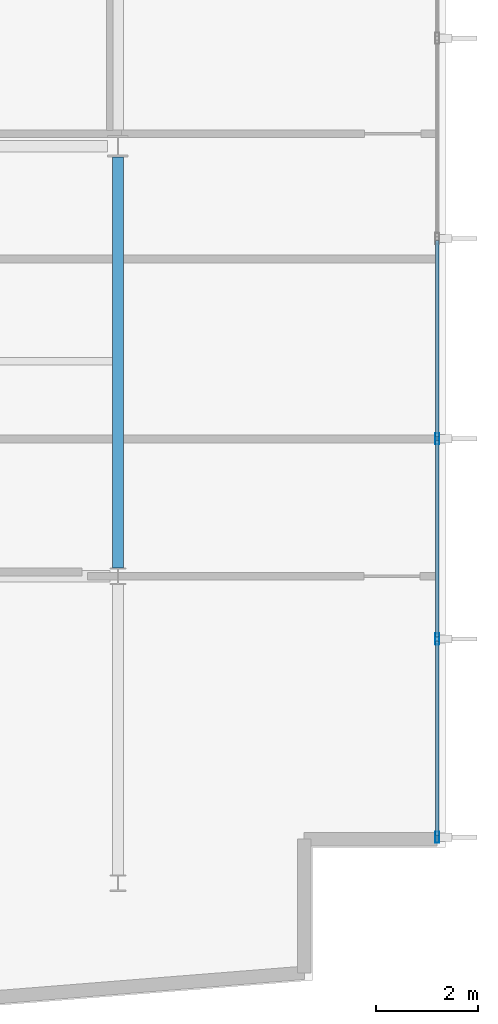
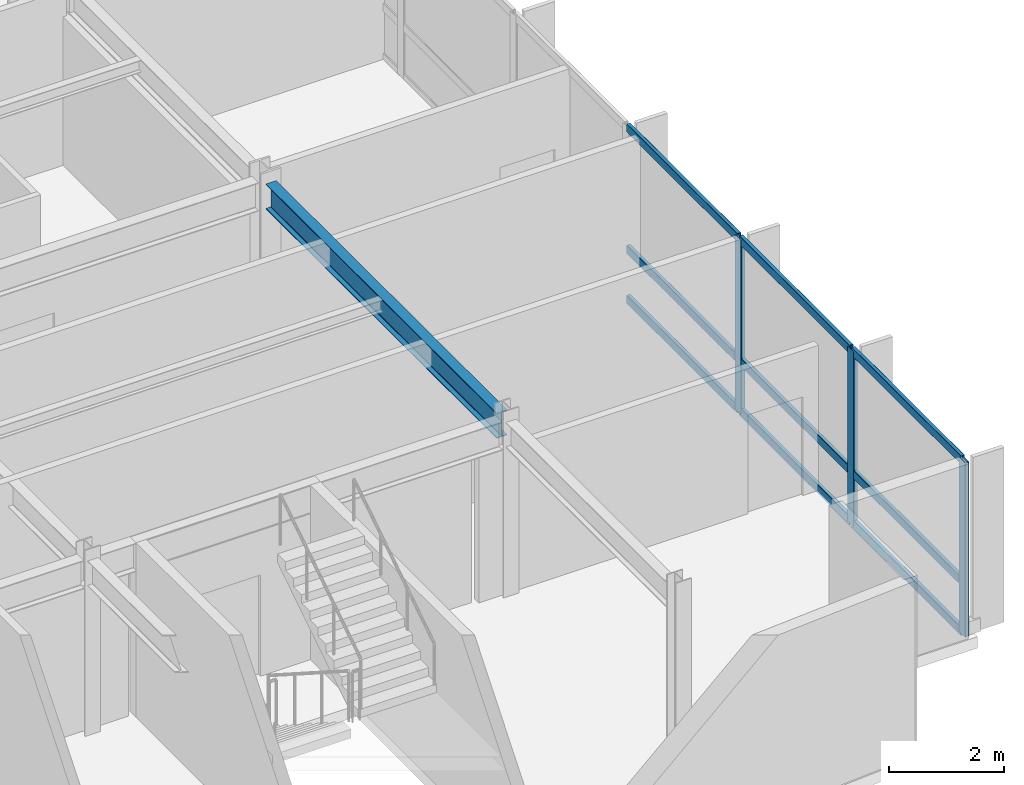
# One storey, part 5 of 18: 12 members, 1 beam, 1 element without a shape of its own.
"""IFC4 building model written with IfcOpenShell, lengths in metres."""

from ifc_helpers import new_model, si_unit, direction, frame, origin, origin_2d, place, context, subcontext, project, spatial, hollow_rectangle, i_section, extrude, material, layer, layer_set, material_profile, profile_set, type_object, element, aggregate, save


model = new_model("IFC4")

# Units and contexts
model_context = context("Model", 3, precision=1e-05, world=origin(), true_north=direction((0.0, 1.0)))
body_context = subcontext(model_context, "Body", "Model", "MODEL_VIEW")
ifc_project = project(units=[si_unit("LENGTHUNIT", "METRE"), si_unit("AREAUNIT", "SQUARE_METRE"), si_unit("VOLUMEUNIT", "CUBIC_METRE"), si_unit("PLANEANGLEUNIT", "RADIAN"), si_unit("MASSUNIT", "GRAM", prefix="KILO")], contexts=[model_context])

# Site, building, storey
site_placement = place(None, origin())
site = spatial("IfcSite", under=ifc_project, at=site_placement, CompositionType="ELEMENT")
building_placement = place(site_placement, origin())
building = spatial("IfcBuilding", under=site, at=building_placement, Name="Varnakote Quay Hospital", CompositionType="ELEMENT")
storey_placement = place(building_placement, frame((0.0, 0.0, 138.89990234375)))
storey = spatial("IfcBuildingStorey", under=building, at=storey_placement, Name="L34", CompositionType="ELEMENT", Elevation=138.89990234375)

# Beam
ifc_material_1 = material(Name="Structural steel AS/NZS 3679.1 Grade 350 L0 (fy 340 MPa)", Category="steel")
ifc_material_profile_1 = material_profile(ifc_material_1, i_section(OverallWidth=0.208984375, OverallDepth=0.532958984375, WebThickness=0.01025390625, FlangeThickness=0.015625, FilletRadius=0.013916015625, at=origin_2d()), Name="530UB92.4")
ifc_profile_set_1 = profile_set([ifc_material_profile_1], Name="Structural steel AS/NZS 3679.1 Grade 350 L0 (fy 340 MPa)")
beam_type = type_object("IfcBeamType", Name="BM-STL-530UB92-4", PredefinedType="BEAM", material=ifc_profile_set_1)
beam_placement = place(storey_placement, frame((50.39990234375, 12.160400390625, 3.443603515625), z_axis=(0.0, 1.0, 0.0), x_axis=(-1.0, 0.0, 0.0)))
element("IfcBeam", 1, at=beam_placement, inside=storey, type_object=beam_type, Name="L34 Primary Tie Beam", PredefinedType="BEAM", context=body_context, shape_type="SweptSolid", body=[
    extrude(i_section(OverallWidth=0.208984375, OverallDepth=0.532958984375, WebThickness=0.01025390625, FlangeThickness=0.015625, FilletRadius=0.013916015625, at=origin_2d()), origin(), (0.0, 0.0, 1.0), 8.029541015625),
])

# Curtain wall, members
ifc_material_2 = material(Name="Anodised aluminium 6063-T6 Bronze", Category="aluminium")
ifc_layer = layer(ifc_material_2, 0.205078125)
ifc_layer_set = layer_set([ifc_layer], Name="Anodised aluminium 6063-T6 Bronze")
curtain_wall_type = type_object("IfcCurtainWallType", Name="CW-SYS-3", PredefinedType="NOTDEFINED", material=ifc_layer_set)
curtain_wall_placement = place(storey_placement, origin())
curtain_wall = element("IfcCurtainWall", 2, at=curtain_wall_placement, inside=storey, type_object=curtain_wall_type, Name="L34 Unitised Bronze Curtain Wall 1", PredefinedType="NOTDEFINED")
ifc_material_3 = material(Name="Anodised aluminium 6063-T6 Bronze", Category="aluminium")
ifc_material_profile_2 = material_profile(ifc_material_3, hollow_rectangle(XDim=0.074951171875, YDim=0.219970703125, WallThickness=0.00439453125, InnerFilletRadius=0.00439453125, OuterFilletRadius=0.009033203125, at=origin_2d()), Name="CW-MULL-220x75")
ifc_profile_set_2 = profile_set([ifc_material_profile_2], Name="Anodised aluminium 6063-T6 Bronze")
member_type_1 = type_object("IfcMemberType", Name="CW-MULL-220x75", PredefinedType="MULLION", material=ifc_profile_set_2)
member_1_placement = place(storey_placement, frame((56.639892578125, 6.8974609375, 0.0), z_axis=(0.0, 0.0, 1.0), x_axis=(-1.0, 0.0, 0.0)))
member_1 = element("IfcMember", 3, at=member_1_placement, type_object=member_type_1, Name="-3-L34-1 mullion 1", PredefinedType="MULLION", context=body_context, shape_type="SweptSolid", body=[
    extrude(hollow_rectangle(XDim=0.074951171875, YDim=0.219970703125, WallThickness=0.00439453125, InnerFilletRadius=0.00439453125, OuterFilletRadius=0.009033203125, at=origin_2d()), origin(), (0.0, 0.0, 1.0), 3.710205078125),
])
member_2_placement = place(storey_placement, frame((56.639892578125, 10.7734375, 0.0), z_axis=(0.0, 0.0, 1.0), x_axis=(-1.0, 0.0, 0.0)))
member_2 = element("IfcMember", 4, at=member_2_placement, type_object=member_type_1, Name="-3-L34-1 mullion 2", PredefinedType="MULLION", context=body_context, shape_type="SweptSolid", body=[
    extrude(hollow_rectangle(XDim=0.074951171875, YDim=0.219970703125, WallThickness=0.00439453125, InnerFilletRadius=0.00439453125, OuterFilletRadius=0.009033203125, at=origin_2d()), origin(), (0.0, 0.0, 1.0), 3.710205078125),
])
member_3_placement = place(storey_placement, frame((56.639892578125, 14.686767578125, 0.0), z_axis=(0.0, 0.0, 1.0), x_axis=(-1.0, 0.0, 0.0)))
member_3 = element("IfcMember", 5, at=member_3_placement, type_object=member_type_1, Name="-3-L34-1 mullion 3", PredefinedType="MULLION", context=body_context, shape_type="SweptSolid", body=[
    extrude(hollow_rectangle(XDim=0.074951171875, YDim=0.219970703125, WallThickness=0.00439453125, InnerFilletRadius=0.00439453125, OuterFilletRadius=0.009033203125, at=origin_2d()), origin(), (0.0, 0.0, 1.0), 3.710205078125),
])
ifc_material_4 = material(Name="Anodised aluminium 6063-T6 Bronze", Category="aluminium")
ifc_material_profile_3 = material_profile(ifc_material_4, hollow_rectangle(XDim=0.074951171875, YDim=0.179931640625, WallThickness=0.004150390625, InnerFilletRadius=0.004150390625, OuterFilletRadius=0.00830078125, at=origin_2d()), Name="CW-TRAN-180x75")
ifc_profile_set_3 = profile_set([ifc_material_profile_3], Name="Anodised aluminium 6063-T6 Bronze")
member_type_2 = type_object("IfcMemberType", Name="CW-TRAN-180x75", PredefinedType="USERDEFINED", material=ifc_profile_set_3)
member_4_placement = place(storey_placement, frame((56.639892578125, 6.93505859375, 0.03759765625), z_axis=(0.0, 1.0, 0.0), x_axis=(-1.0, 0.0, 0.0)))
member_4 = element("IfcMember", 6, at=member_4_placement, type_object=member_type_2, Name="-3-L34-1 transom 1.1", ObjectType="TRANSOM", PredefinedType="USERDEFINED", context=body_context, shape_type="SweptSolid", body=[
    extrude(hollow_rectangle(XDim=0.074951171875, YDim=0.179931640625, WallThickness=0.004150390625, InnerFilletRadius=0.004150390625, OuterFilletRadius=0.00830078125, at=origin_2d()), origin(), (0.0, 0.0, 1.0), 3.80078125),
])
member_5_placement = place(storey_placement, frame((56.639892578125, 6.93505859375, 1.10009765625), z_axis=(0.0, 1.0, 0.0), x_axis=(-1.0, 0.0, 0.0)))
member_5 = element("IfcMember", 7, at=member_5_placement, type_object=member_type_2, Name="-3-L34-1 transom 1.2", ObjectType="TRANSOM", PredefinedType="USERDEFINED", context=body_context, shape_type="SweptSolid", body=[
    extrude(hollow_rectangle(XDim=0.074951171875, YDim=0.179931640625, WallThickness=0.004150390625, InnerFilletRadius=0.004150390625, OuterFilletRadius=0.00830078125, at=origin_2d()), origin(), (0.0, 0.0, 1.0), 3.80078125),
])
member_6_placement = place(storey_placement, frame((56.639892578125, 6.93505859375, 3.672607421875), z_axis=(0.0, 1.0, 0.0), x_axis=(-1.0, 0.0, 0.0)))
member_6 = element("IfcMember", 8, at=member_6_placement, type_object=member_type_2, Name="-3-L34-1 transom 1.3", ObjectType="TRANSOM", PredefinedType="USERDEFINED", context=body_context, shape_type="SweptSolid", body=[
    extrude(hollow_rectangle(XDim=0.074951171875, YDim=0.179931640625, WallThickness=0.004150390625, InnerFilletRadius=0.004150390625, OuterFilletRadius=0.00830078125, at=origin_2d()), origin(), (0.0, 0.0, 1.0), 3.80078125),
])
member_7_placement = place(storey_placement, frame((56.639892578125, 10.810791015625, 0.03759765625), z_axis=(0.0, 1.0, 0.0), x_axis=(-1.0, 0.0, 0.0)))
member_7 = element("IfcMember", 9, at=member_7_placement, type_object=member_type_2, Name="-3-L34-1 transom 2.1", ObjectType="TRANSOM", PredefinedType="USERDEFINED", context=body_context, shape_type="SweptSolid", body=[
    extrude(hollow_rectangle(XDim=0.074951171875, YDim=0.179931640625, WallThickness=0.004150390625, InnerFilletRadius=0.004150390625, OuterFilletRadius=0.00830078125, at=origin_2d()), origin(), (0.0, 0.0, 1.0), 3.83837890625),
])
member_8_placement = place(storey_placement, frame((56.639892578125, 10.810791015625, 1.10009765625), z_axis=(0.0, 1.0, 0.0), x_axis=(-1.0, 0.0, 0.0)))
member_8 = element("IfcMember", 10, at=member_8_placement, type_object=member_type_2, Name="-3-L34-1 transom 2.2", ObjectType="TRANSOM", PredefinedType="USERDEFINED", context=body_context, shape_type="SweptSolid", body=[
    extrude(hollow_rectangle(XDim=0.074951171875, YDim=0.179931640625, WallThickness=0.004150390625, InnerFilletRadius=0.004150390625, OuterFilletRadius=0.00830078125, at=origin_2d()), origin(), (0.0, 0.0, 1.0), 3.83837890625),
])
member_9_placement = place(storey_placement, frame((56.639892578125, 10.810791015625, 3.672607421875), z_axis=(0.0, 1.0, 0.0), x_axis=(-1.0, 0.0, 0.0)))
member_9 = element("IfcMember", 11, at=member_9_placement, type_object=member_type_2, Name="-3-L34-1 transom 2.3", ObjectType="TRANSOM", PredefinedType="USERDEFINED", context=body_context, shape_type="SweptSolid", body=[
    extrude(hollow_rectangle(XDim=0.074951171875, YDim=0.179931640625, WallThickness=0.004150390625, InnerFilletRadius=0.004150390625, OuterFilletRadius=0.00830078125, at=origin_2d()), origin(), (0.0, 0.0, 1.0), 3.83837890625),
])
member_10_placement = place(storey_placement, frame((56.639892578125, 14.72412109375, 0.03759765625), z_axis=(0.0, 1.0, 0.0), x_axis=(-1.0, 0.0, 0.0)))
member_10 = element("IfcMember", 12, at=member_10_placement, type_object=member_type_2, Name="-3-L34-1 transom 3.1", ObjectType="TRANSOM", PredefinedType="USERDEFINED", context=body_context, shape_type="SweptSolid", body=[
    extrude(hollow_rectangle(XDim=0.074951171875, YDim=0.179931640625, WallThickness=0.004150390625, InnerFilletRadius=0.004150390625, OuterFilletRadius=0.00830078125, at=origin_2d()), origin(), (0.0, 0.0, 1.0), 3.83837890625),
])
member_11_placement = place(storey_placement, frame((56.639892578125, 14.72412109375, 1.10009765625), z_axis=(0.0, 1.0, 0.0), x_axis=(-1.0, 0.0, 0.0)))
member_11 = element("IfcMember", 13, at=member_11_placement, type_object=member_type_2, Name="-3-L34-1 transom 3.2", ObjectType="TRANSOM", PredefinedType="USERDEFINED", context=body_context, shape_type="SweptSolid", body=[
    extrude(hollow_rectangle(XDim=0.074951171875, YDim=0.179931640625, WallThickness=0.004150390625, InnerFilletRadius=0.004150390625, OuterFilletRadius=0.00830078125, at=origin_2d()), origin(), (0.0, 0.0, 1.0), 3.83837890625),
])
member_12_placement = place(storey_placement, frame((56.639892578125, 14.72412109375, 3.672607421875), z_axis=(0.0, 1.0, 0.0), x_axis=(-1.0, 0.0, 0.0)))
member_12 = element("IfcMember", 14, at=member_12_placement, type_object=member_type_2, Name="-3-L34-1 transom 3.3", ObjectType="TRANSOM", PredefinedType="USERDEFINED", context=body_context, shape_type="SweptSolid", body=[
    extrude(hollow_rectangle(XDim=0.074951171875, YDim=0.179931640625, WallThickness=0.004150390625, InnerFilletRadius=0.004150390625, OuterFilletRadius=0.00830078125, at=origin_2d()), origin(), (0.0, 0.0, 1.0), 3.83837890625),
])
aggregate(curtain_wall, [member_1, member_2, member_3, member_4, member_5, member_6, member_7, member_8, member_9, member_10, member_11, member_12])

save(model, "model.ifc")
